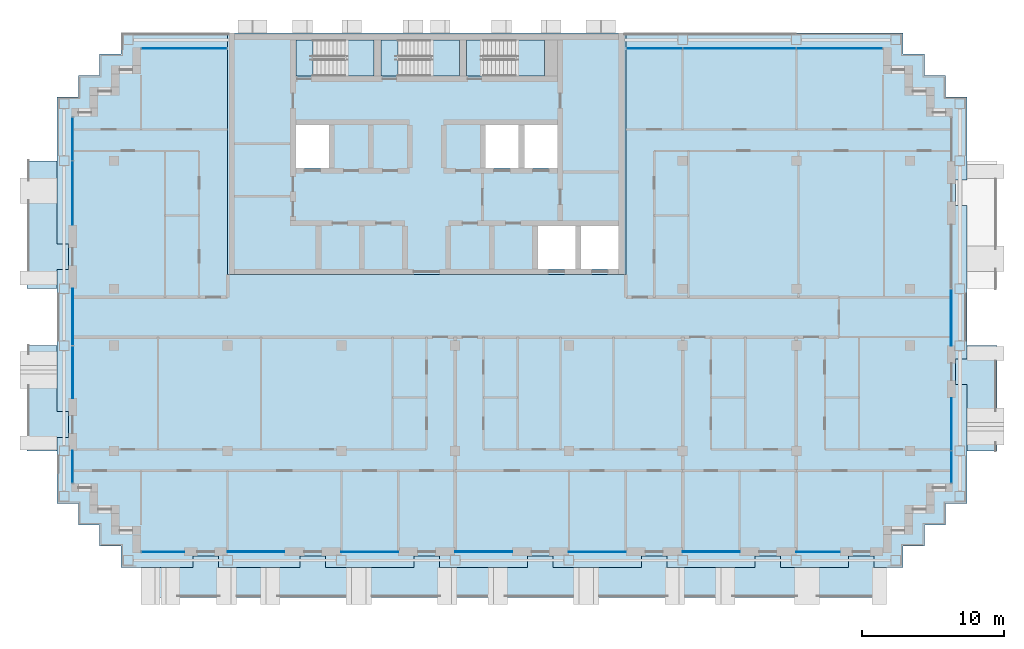
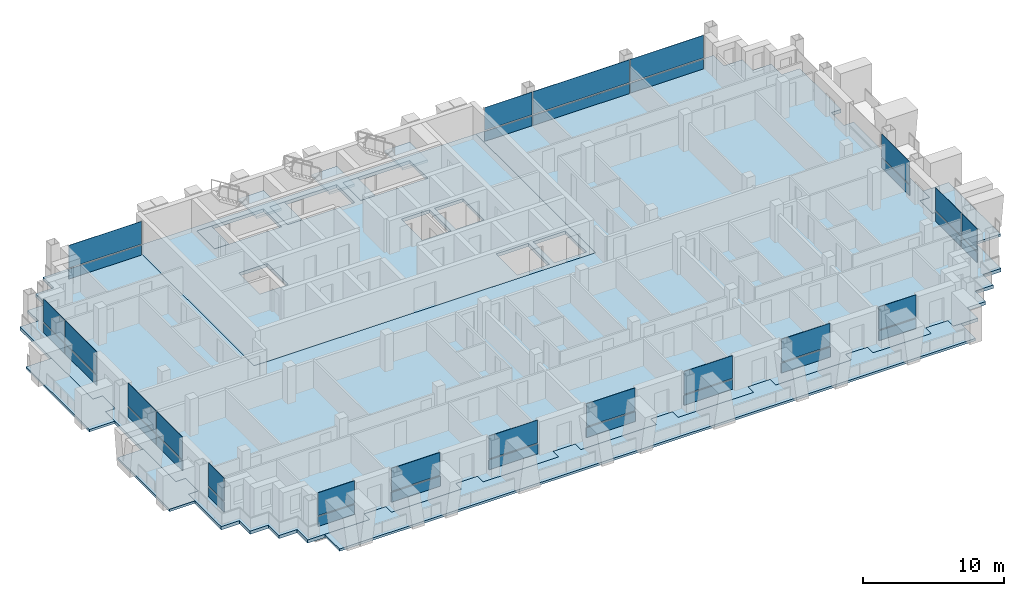
# One storey, part 6 of 16: 38 plates, 12 slabs, 17 elements without a shape of their own.
"""IFC4 building model written with IfcOpenShell, lengths in metres."""

from ifc_helpers import new_model, si_unit, direction, frame, origin, origin_2d, place, context, subcontext, project, spatial, polyline, rectangle, outline, extrude, material, layer, layer_set, type_object, element, aggregate, save


model = new_model("IFC4")

# Units and contexts
model_context = context("Model", 3, precision=1e-05, world=origin(), true_north=direction((0.0, 1.0)))
body_context = subcontext(model_context, "Body", "Model", "MODEL_VIEW")
ifc_project = project(units=[si_unit("LENGTHUNIT", "METRE"), si_unit("AREAUNIT", "SQUARE_METRE"), si_unit("VOLUMEUNIT", "CUBIC_METRE"), si_unit("PLANEANGLEUNIT", "RADIAN"), si_unit("MASSUNIT", "GRAM", prefix="KILO")], contexts=[model_context])

# Site, building, storey
site_placement = place(None, origin())
site = spatial("IfcSite", under=ifc_project, at=site_placement, CompositionType="ELEMENT")
building_placement = place(site_placement, origin())
building = spatial("IfcBuilding", under=site, at=building_placement, Name="Vidyagriha Tower", CompositionType="ELEMENT")
storey_placement = place(building_placement, frame((0.0, 0.0, 178.10009765625)))
storey = spatial("IfcBuildingStorey", under=building, at=storey_placement, Name="L46", CompositionType="ELEMENT", Elevation=178.10009765625)

# Curtain wall, plates
ifc_material_1 = material(Name="Aluminium and glass curtain wall", Category="aluminium")
curtain_wall_type = type_object("IfcCurtainWallType", Name="Dwelling skin unitised curtain wall", PredefinedType="USERDEFINED", material=ifc_material_1)
curtain_wall_1_placement = place(storey_placement, origin())
curtain_wall_1 = element("IfcCurtainWall", 1, at=curtain_wall_1_placement, inside=storey, type_object=curtain_wall_type, Name="CW1 dwelling skin", ObjectType="UNITISED", PredefinedType="USERDEFINED")
ifc_material_2 = material(Name="Glass dark ceramic-fritted spandrel", Category="glass")
ifc_layer_1 = layer(ifc_material_2, 0.0400390625)
ifc_layer_set_1 = layer_set([ifc_layer_1], Name="Glass dark ceramic-fritted spandrel")
plate_type_1 = type_object("IfcPlateType", Name="Ceramic-fritted spandrel panel", PredefinedType="CURTAIN_PANEL", material=ifc_layer_set_1)
plate_1_placement = place(storey_placement, frame((29.032470703125, 18.89990234375, -0.000244140625), z_axis=(0.0, 0.0, 1.0), x_axis=(-1.0, 0.0, 0.0)))
plate_1 = element("IfcPlate", 2, at=plate_1_placement, type_object=plate_type_1, Name="CW1 panel 1.1", PredefinedType="CURTAIN_PANEL", context=body_context, shape_type="SweptSolid", body=[
    extrude(rectangle(XDim=5.9951171875, YDim=0.0400390625, at=origin_2d()), origin(), (0.0, 0.0, 1.0), 0.85009765625),
])
plate_2_placement = place(storey_placement, frame((16.017578125, 18.89990234375, -0.000244140625), z_axis=(0.0, 0.0, 1.0), x_axis=(-1.0, 0.0, 0.0)))
plate_2 = element("IfcPlate", 3, at=plate_2_placement, type_object=plate_type_1, Name="CW1 panel 3.1", PredefinedType="CURTAIN_PANEL", context=body_context, shape_type="SweptSolid", body=[
    extrude(rectangle(XDim=3.89501953125, YDim=0.0400390625, at=origin_2d()), origin(), (0.0, 0.0, 1.0), 0.85009765625),
])

# Curtain wall, plate
curtain_wall_2_placement = place(storey_placement, origin())
curtain_wall_2 = element("IfcCurtainWall", 4, at=curtain_wall_2_placement, inside=storey, type_object=curtain_wall_type, Name="CW1 dwelling skin", ObjectType="UNITISED", PredefinedType="USERDEFINED")
plate_3_placement = place(storey_placement, frame((-17.050048828125, 18.89990234375, -0.000244140625), z_axis=(0.0, 0.0, 1.0), x_axis=(-1.0, 0.0, 0.0)))
plate_3 = element("IfcPlate", 5, at=plate_3_placement, type_object=plate_type_1, Name="CW1 panel 1.1", PredefinedType="CURTAIN_PANEL", context=body_context, shape_type="SweptSolid", body=[
    extrude(rectangle(XDim=5.9599609375, YDim=0.0400390625, at=origin_2d()), origin(), (0.0, 0.0, 1.0), 0.85009765625),
])

# Curtain wall, plates
curtain_wall_3_placement = place(storey_placement, origin())
curtain_wall_3 = element("IfcCurtainWall", 6, at=curtain_wall_3_placement, inside=storey, type_object=curtain_wall_type, Name="CW1 dwelling skin", ObjectType="UNITISED", PredefinedType="USERDEFINED")
plate_4_placement = place(storey_placement, frame((-24.89990234375, 12.532470703125, -0.000244140625), z_axis=(0.0, 0.0, 1.0), x_axis=(0.0, -1.0, 0.0)))
plate_4 = element("IfcPlate", 7, at=plate_4_placement, type_object=plate_type_1, Name="CW1 panel 1.1", PredefinedType="CURTAIN_PANEL", context=body_context, shape_type="SweptSolid", body=[
    extrude(rectangle(XDim=2.9951171875, YDim=0.0400390625, at=origin_2d()), origin(), (0.0, 0.0, 1.0), 0.85009765625),
])
plate_5_placement = place(storey_placement, frame((-24.89990234375, 8.732421875, -0.000244140625), z_axis=(0.0, 0.0, 1.0), x_axis=(0.0, -1.0, 0.0)))
plate_5 = element("IfcPlate", 8, at=plate_5_placement, type_object=plate_type_1, Name="CW1 panel 2.1", PredefinedType="CURTAIN_PANEL", context=body_context, shape_type="SweptSolid", body=[
    extrude(rectangle(XDim=4.465087890625, YDim=0.0400390625, at=origin_2d()), origin(), (0.0, 0.0, 1.0), 0.85009765625),
])

# Curtain wall, plate
curtain_wall_4_placement = place(storey_placement, origin())
curtain_wall_4 = element("IfcCurtainWall", 9, at=curtain_wall_4_placement, inside=storey, type_object=curtain_wall_type, Name="CW1 dwelling skin", ObjectType="UNITISED", PredefinedType="USERDEFINED")
plate_6_placement = place(storey_placement, frame((-24.89990234375, -10.514892578125, -0.000244140625), z_axis=(0.0, 0.0, 1.0), x_axis=(0.0, -1.0, 0.0)))
plate_6 = element("IfcPlate", 10, at=plate_6_placement, type_object=plate_type_1, Name="CW1 panel 1.1", PredefinedType="CURTAIN_PANEL", context=body_context, shape_type="SweptSolid", body=[
    extrude(rectangle(XDim=2.22998046875, YDim=0.0400390625, at=origin_2d()), origin(), (0.0, 0.0, 1.0), 0.85009765625),
])

curtain_wall_5_placement = place(storey_placement, origin())
curtain_wall_5 = element("IfcCurtainWall", 11, at=curtain_wall_5_placement, inside=storey, type_object=curtain_wall_type, Name="CW1 dwelling skin", ObjectType="UNITISED", PredefinedType="USERDEFINED")
plate_7_placement = place(storey_placement, frame((-18.5400390625, -16.5, -0.000244140625)))
plate_7 = element("IfcPlate", 12, at=plate_7_placement, type_object=plate_type_1, Name="CW1 panel 1.1", PredefinedType="CURTAIN_PANEL", context=body_context, shape_type="SweptSolid", body=[
    extrude(rectangle(XDim=2.97998046875, YDim=0.0400390625, at=origin_2d()), origin(), (0.0, 0.0, 1.0), 0.85009765625),
])

curtain_wall_6_placement = place(storey_placement, origin())
curtain_wall_6 = element("IfcCurtainWall", 13, at=curtain_wall_6_placement, inside=storey, type_object=curtain_wall_type, Name="CW1 dwelling skin", ObjectType="UNITISED", PredefinedType="USERDEFINED")
plate_8_placement = place(storey_placement, frame((-4.0, -16.5, -0.000244140625)))
plate_8 = element("IfcPlate", 14, at=plate_8_placement, type_object=plate_type_1, Name="CW1 panel 1.1", PredefinedType="CURTAIN_PANEL", context=body_context, shape_type="SweptSolid", body=[
    extrude(rectangle(XDim=4.0, YDim=0.0400390625, at=origin_2d()), origin(), (0.0, 0.0, 1.0), 0.85009765625),
])

curtain_wall_7_placement = place(storey_placement, origin())
curtain_wall_7 = element("IfcCurtainWall", 15, at=curtain_wall_7_placement, inside=storey, type_object=curtain_wall_type, Name="CW1 dwelling skin", ObjectType="UNITISED", PredefinedType="USERDEFINED")
plate_9_placement = place(storey_placement, frame((12.0, -16.5, -0.000244140625)))
plate_9 = element("IfcPlate", 16, at=plate_9_placement, type_object=plate_type_1, Name="CW1 panel 1.1", PredefinedType="CURTAIN_PANEL", context=body_context, shape_type="SweptSolid", body=[
    extrude(rectangle(XDim=4.0, YDim=0.0400390625, at=origin_2d()), origin(), (0.0, 0.0, 1.0), 0.85009765625),
])

curtain_wall_8_placement = place(storey_placement, origin())
curtain_wall_8 = element("IfcCurtainWall", 17, at=curtain_wall_8_placement, inside=storey, type_object=curtain_wall_type, Name="CW1 dwelling skin", ObjectType="UNITISED", PredefinedType="USERDEFINED")
plate_10_placement = place(storey_placement, frame((27.52490234375, -16.5, -0.000244140625)))
plate_10 = element("IfcPlate", 18, at=plate_10_placement, type_object=plate_type_1, Name="CW1 panel 1.1", PredefinedType="CURTAIN_PANEL", context=body_context, shape_type="SweptSolid", body=[
    extrude(rectangle(XDim=3.050048828125, YDim=0.0400390625, at=origin_2d()), origin(), (0.0, 0.0, 1.0), 0.85009765625),
])

# Curtain wall, plates
curtain_wall_9_placement = place(storey_placement, origin())
curtain_wall_9 = element("IfcCurtainWall", 19, at=curtain_wall_9_placement, inside=storey, type_object=curtain_wall_type, Name="CW1 dwelling skin", ObjectType="UNITISED", PredefinedType="USERDEFINED")
plate_11_placement = place(storey_placement, frame((36.89990234375, -10.532470703125, -0.000244140625), z_axis=(0.0, 0.0, 1.0), x_axis=(0.0, 1.0, 0.0)))
plate_11 = element("IfcPlate", 20, at=plate_11_placement, type_object=plate_type_1, Name="CW1 panel 1.1", PredefinedType="CURTAIN_PANEL", context=body_context, shape_type="SweptSolid", body=[
    extrude(rectangle(XDim=2.195068359375, YDim=0.0400390625, at=origin_2d()), origin(), (0.0, 0.0, 1.0), 0.85009765625),
])
plate_12_placement = place(storey_placement, frame((36.89990234375, -7.532470703125, -0.000244140625), z_axis=(0.0, 0.0, 1.0), x_axis=(0.0, 1.0, 0.0)))
plate_12 = element("IfcPlate", 21, at=plate_12_placement, type_object=plate_type_1, Name="CW1 panel 2.1", PredefinedType="CURTAIN_PANEL", context=body_context, shape_type="SweptSolid", body=[
    extrude(rectangle(XDim=3.6650390625, YDim=0.0400390625, at=origin_2d()), origin(), (0.0, 0.0, 1.0), 0.85009765625),
])

# Slab
ifc_material_3 = material(Name="Concrete C60/75", Category="concrete")
ifc_layer_2 = layer(ifc_material_3, 0.280029296875)
ifc_layer_set_2 = layer_set([ifc_layer_2], Name="Concrete C60/75")
slab_type_1 = type_object("IfcSlabType", Name="Core floor slab 280 mm", PredefinedType="FLOOR", material=ifc_layer_set_2)
slab_1_placement = place(storey_placement, frame((0.0, 0.0, -0.280029296875)))
element("IfcSlab", 22, at=slab_1_placement, inside=storey, type_object=slab_type_1, Name="L46 core floor 1", PredefinedType="FLOOR", context=body_context, shape_type="SweptSolid", body=[
    extrude(outline(polyline([(-14.0, 3.0), (-14.0, 20.0), (14.0, 20.0), (14.0, 3.0), (-14.0, 3.0)]), holes=[polyline([(13.5, 6.39990234375), (10.855712890625, 6.39990234375), (10.855712890625, 3.39990234375), (13.5, 3.39990234375), (13.5, 6.39990234375)]), polyline([(10.45556640625, 6.39990234375), (7.81103515625, 6.39990234375), (7.81103515625, 3.39990234375), (10.45556640625, 3.39990234375), (10.45556640625, 6.39990234375)]), polyline([(9.199951171875, 13.5), (6.86669921875, 13.5), (6.86669921875, 10.5), (9.199951171875, 10.5), (9.199951171875, 13.5)]), polyline([(2.800048828125, 19.5), (2.800048828125, 16.949951171875), (4.0, 16.949951171875), (8.300048828125, 16.949951171875), (8.300048828125, 19.5), (4.0, 19.5), (2.800048828125, 19.5)]), polyline([(4.13330078125, 13.5), (4.13330078125, 10.5), (6.466796875, 10.5), (6.466796875, 13.5), (4.13330078125, 13.5)]), polyline([(-2.0, 19.5), (-3.199951171875, 19.5), (-3.199951171875, 16.949951171875), (-2.0, 16.949951171875), (2.300048828125, 16.949951171875), (2.300048828125, 19.5), (-2.0, 19.5)]), polyline([(-9.199951171875, 19.5), (-9.199951171875, 16.949951171875), (-8.0, 16.949951171875), (-3.699951171875, 16.949951171875), (-3.699951171875, 19.5), (-8.0, 19.5), (-9.199951171875, 19.5)]), polyline([(-9.199951171875, 13.5), (-9.199951171875, 10.5), (-6.86669921875, 10.5), (-6.86669921875, 13.5), (-9.199951171875, 13.5)])]), origin(), (0.0, 0.0, 1.0), 0.280029296875),
])

# Plate
ifc_material_4 = material(Name="Glass dark ceramic-fritted", Category="glass")
ifc_layer_3 = layer(ifc_material_4, 0.028076171875)
ifc_layer_set_3 = layer_set([ifc_layer_3], Name="Glass dark ceramic-fritted")
plate_type_2 = type_object("IfcPlateType", Name="Dark ceramic-fritted vision glass panel", PredefinedType="CURTAIN_PANEL", material=ifc_layer_set_3)
plate_13_placement = place(storey_placement, frame((29.032470703125, 18.89990234375, 0.94970703125), z_axis=(0.0, 0.0, 1.0), x_axis=(-1.0, 0.0, 0.0)))
plate_13 = element("IfcPlate", 23, at=plate_13_placement, type_object=plate_type_2, Name="CW1 panel 1.2", PredefinedType="CURTAIN_PANEL", context=body_context, shape_type="SweptSolid", body=[
    extrude(rectangle(XDim=5.9951171875, YDim=0.028076171875, at=origin_2d()), origin(), (0.0, 0.0, 1.0), 1.969970703125),
])

plate_14_placement = place(storey_placement, frame((22.0, 18.89990234375, 0.94970703125), z_axis=(0.0, 0.0, 1.0), x_axis=(-1.0, 0.0, 0.0)))
plate_14 = element("IfcPlate", 24, at=plate_14_placement, type_object=plate_type_2, Name="CW1 panel 2.2", PredefinedType="CURTAIN_PANEL", context=body_context, shape_type="SweptSolid", body=[
    extrude(rectangle(XDim=7.929931640625, YDim=0.028076171875, at=origin_2d()), origin(), (0.0, 0.0, 1.0), 1.969970703125),
])

plate_15_placement = place(storey_placement, frame((16.017578125, 18.89990234375, 0.94970703125), z_axis=(0.0, 0.0, 1.0), x_axis=(-1.0, 0.0, 0.0)))
plate_15 = element("IfcPlate", 25, at=plate_15_placement, type_object=plate_type_2, Name="CW1 panel 3.2", PredefinedType="CURTAIN_PANEL", context=body_context, shape_type="SweptSolid", body=[
    extrude(rectangle(XDim=3.89501953125, YDim=0.028076171875, at=origin_2d()), origin(), (0.0, 0.0, 1.0), 1.969970703125),
])

plate_16_placement = place(storey_placement, frame((-17.050048828125, 18.89990234375, 0.94970703125), z_axis=(0.0, 0.0, 1.0), x_axis=(-1.0, 0.0, 0.0)))
plate_16 = element("IfcPlate", 26, at=plate_16_placement, type_object=plate_type_2, Name="CW1 panel 1.2", PredefinedType="CURTAIN_PANEL", context=body_context, shape_type="SweptSolid", body=[
    extrude(rectangle(XDim=5.9599609375, YDim=0.028076171875, at=origin_2d()), origin(), (0.0, 0.0, 1.0), 1.969970703125),
])

aggregate(curtain_wall_2, [plate_3, plate_16])

plate_17_placement = place(storey_placement, frame((-24.89990234375, 12.532470703125, 0.94970703125), z_axis=(0.0, 0.0, 1.0), x_axis=(0.0, -1.0, 0.0)))
plate_17 = element("IfcPlate", 27, at=plate_17_placement, type_object=plate_type_2, Name="CW1 panel 1.2", PredefinedType="CURTAIN_PANEL", context=body_context, shape_type="SweptSolid", body=[
    extrude(rectangle(XDim=2.9951171875, YDim=0.028076171875, at=origin_2d()), origin(), (0.0, 0.0, 1.0), 1.969970703125),
])

plate_18_placement = place(storey_placement, frame((-24.89990234375, 8.732421875, 0.94970703125), z_axis=(0.0, 0.0, 1.0), x_axis=(0.0, -1.0, 0.0)))
plate_18 = element("IfcPlate", 28, at=plate_18_placement, type_object=plate_type_2, Name="CW1 panel 2.2", PredefinedType="CURTAIN_PANEL", context=body_context, shape_type="SweptSolid", body=[
    extrude(rectangle(XDim=4.465087890625, YDim=0.028076171875, at=origin_2d()), origin(), (0.0, 0.0, 1.0), 1.969970703125),
])

aggregate(curtain_wall_3, [plate_4, plate_17, plate_5, plate_18])

# Curtain wall, plates
curtain_wall_10_placement = place(storey_placement, origin())
curtain_wall_10 = element("IfcCurtainWall", 29, at=curtain_wall_10_placement, inside=storey, type_object=curtain_wall_type, Name="CW1 dwelling skin", ObjectType="UNITISED", PredefinedType="USERDEFINED")
plate_19_placement = place(storey_placement, frame((-24.89990234375, 0.017578125, 0.94970703125), z_axis=(0.0, 0.0, 1.0), x_axis=(0.0, -1.0, 0.0)))
plate_19 = element("IfcPlate", 30, at=plate_19_placement, type_object=plate_type_2, Name="CW1 panel 1.2", PredefinedType="CURTAIN_PANEL", context=body_context, shape_type="SweptSolid", body=[
    extrude(rectangle(XDim=3.965087890625, YDim=0.028076171875, at=origin_2d()), origin(), (0.0, 0.0, 1.0), 1.969970703125),
])
plate_20_placement = place(storey_placement, frame((-24.89990234375, -3.867431640625, 0.94970703125), z_axis=(0.0, 0.0, 1.0), x_axis=(0.0, -1.0, 0.0)))
plate_20 = element("IfcPlate", 31, at=plate_20_placement, type_object=plate_type_2, Name="CW1 panel 2.2", PredefinedType="CURTAIN_PANEL", context=body_context, shape_type="SweptSolid", body=[
    extrude(rectangle(XDim=3.6650390625, YDim=0.028076171875, at=origin_2d()), origin(), (0.0, 0.0, 1.0), 1.969970703125),
])

# Plate
plate_21_placement = place(storey_placement, frame((-24.89990234375, -10.514892578125, 0.94970703125), z_axis=(0.0, 0.0, 1.0), x_axis=(0.0, -1.0, 0.0)))
plate_21 = element("IfcPlate", 32, at=plate_21_placement, type_object=plate_type_2, Name="CW1 panel 1.2", PredefinedType="CURTAIN_PANEL", context=body_context, shape_type="SweptSolid", body=[
    extrude(rectangle(XDim=2.22998046875, YDim=0.028076171875, at=origin_2d()), origin(), (0.0, 0.0, 1.0), 1.969970703125),
])

aggregate(curtain_wall_4, [plate_6, plate_21])

plate_22_placement = place(storey_placement, frame((-18.5400390625, -16.5, 0.94970703125)))
plate_22 = element("IfcPlate", 33, at=plate_22_placement, type_object=plate_type_2, Name="CW1 panel 1.2", PredefinedType="CURTAIN_PANEL", context=body_context, shape_type="SweptSolid", body=[
    extrude(rectangle(XDim=2.97998046875, YDim=0.028076171875, at=origin_2d()), origin(), (0.0, 0.0, 1.0), 1.969970703125),
])

aggregate(curtain_wall_5, [plate_7, plate_22])

# Curtain wall, plate
curtain_wall_11_placement = place(storey_placement, origin())
curtain_wall_11 = element("IfcCurtainWall", 34, at=curtain_wall_11_placement, inside=storey, type_object=curtain_wall_type, Name="CW1 dwelling skin", ObjectType="UNITISED", PredefinedType="USERDEFINED")
plate_23_placement = place(storey_placement, frame((-12.0, -16.5, 0.94970703125)))
plate_23 = element("IfcPlate", 35, at=plate_23_placement, type_object=plate_type_2, Name="CW1 panel 1.2", PredefinedType="CURTAIN_PANEL", context=body_context, shape_type="SweptSolid", body=[
    extrude(rectangle(XDim=4.0, YDim=0.028076171875, at=origin_2d()), origin(), (0.0, 0.0, 1.0), 1.969970703125),
])

# Plate
plate_24_placement = place(storey_placement, frame((-4.0, -16.5, 0.94970703125)))
plate_24 = element("IfcPlate", 36, at=plate_24_placement, type_object=plate_type_2, Name="CW1 panel 1.2", PredefinedType="CURTAIN_PANEL", context=body_context, shape_type="SweptSolid", body=[
    extrude(rectangle(XDim=4.0, YDim=0.028076171875, at=origin_2d()), origin(), (0.0, 0.0, 1.0), 1.969970703125),
])

aggregate(curtain_wall_6, [plate_8, plate_24])

# Curtain wall, plate
curtain_wall_12_placement = place(storey_placement, origin())
curtain_wall_12 = element("IfcCurtainWall", 37, at=curtain_wall_12_placement, inside=storey, type_object=curtain_wall_type, Name="CW1 dwelling skin", ObjectType="UNITISED", PredefinedType="USERDEFINED")
plate_25_placement = place(storey_placement, frame((4.0, -16.5, 0.94970703125)))
plate_25 = element("IfcPlate", 38, at=plate_25_placement, type_object=plate_type_2, Name="CW1 panel 1.2", PredefinedType="CURTAIN_PANEL", context=body_context, shape_type="SweptSolid", body=[
    extrude(rectangle(XDim=4.0, YDim=0.028076171875, at=origin_2d()), origin(), (0.0, 0.0, 1.0), 1.969970703125),
])

# Plate
plate_26_placement = place(storey_placement, frame((12.0, -16.5, 0.94970703125)))
plate_26 = element("IfcPlate", 39, at=plate_26_placement, type_object=plate_type_2, Name="CW1 panel 1.2", PredefinedType="CURTAIN_PANEL", context=body_context, shape_type="SweptSolid", body=[
    extrude(rectangle(XDim=4.0, YDim=0.028076171875, at=origin_2d()), origin(), (0.0, 0.0, 1.0), 1.969970703125),
])

aggregate(curtain_wall_7, [plate_9, plate_26])

# Curtain wall, plate
curtain_wall_13_placement = place(storey_placement, origin())
curtain_wall_13 = element("IfcCurtainWall", 40, at=curtain_wall_13_placement, inside=storey, type_object=curtain_wall_type, Name="CW1 dwelling skin", ObjectType="UNITISED", PredefinedType="USERDEFINED")
plate_27_placement = place(storey_placement, frame((20.0, -16.5, 0.94970703125)))
plate_27 = element("IfcPlate", 41, at=plate_27_placement, type_object=plate_type_2, Name="CW1 panel 1.2", PredefinedType="CURTAIN_PANEL", context=body_context, shape_type="SweptSolid", body=[
    extrude(rectangle(XDim=4.0, YDim=0.028076171875, at=origin_2d()), origin(), (0.0, 0.0, 1.0), 1.969970703125),
])

# Plate
plate_28_placement = place(storey_placement, frame((27.52490234375, -16.5, 0.94970703125)))
plate_28 = element("IfcPlate", 42, at=plate_28_placement, type_object=plate_type_2, Name="CW1 panel 1.2", PredefinedType="CURTAIN_PANEL", context=body_context, shape_type="SweptSolid", body=[
    extrude(rectangle(XDim=3.050048828125, YDim=0.028076171875, at=origin_2d()), origin(), (0.0, 0.0, 1.0), 1.969970703125),
])

aggregate(curtain_wall_8, [plate_10, plate_28])

plate_29_placement = place(storey_placement, frame((36.89990234375, -10.532470703125, 0.94970703125), z_axis=(0.0, 0.0, 1.0), x_axis=(0.0, 1.0, 0.0)))
plate_29 = element("IfcPlate", 43, at=plate_29_placement, type_object=plate_type_2, Name="CW1 panel 1.2", PredefinedType="CURTAIN_PANEL", context=body_context, shape_type="SweptSolid", body=[
    extrude(rectangle(XDim=2.195068359375, YDim=0.028076171875, at=origin_2d()), origin(), (0.0, 0.0, 1.0), 1.969970703125),
])

plate_30_placement = place(storey_placement, frame((36.89990234375, -7.532470703125, 0.94970703125), z_axis=(0.0, 0.0, 1.0), x_axis=(0.0, 1.0, 0.0)))
plate_30 = element("IfcPlate", 44, at=plate_30_placement, type_object=plate_type_2, Name="CW1 panel 2.2", PredefinedType="CURTAIN_PANEL", context=body_context, shape_type="SweptSolid", body=[
    extrude(rectangle(XDim=3.6650390625, YDim=0.028076171875, at=origin_2d()), origin(), (0.0, 0.0, 1.0), 1.969970703125),
])

aggregate(curtain_wall_9, [plate_11, plate_29, plate_12, plate_30])

# Curtain wall, plate
curtain_wall_14_placement = place(storey_placement, origin())
curtain_wall_14 = element("IfcCurtainWall", 45, at=curtain_wall_14_placement, inside=storey, type_object=curtain_wall_type, Name="CW1 dwelling skin", ObjectType="UNITISED", PredefinedType="USERDEFINED")
plate_31_placement = place(storey_placement, frame((36.89990234375, -0.017578125, 0.94970703125), z_axis=(0.0, 0.0, 1.0), x_axis=(0.0, 1.0, 0.0)))
plate_31 = element("IfcPlate", 46, at=plate_31_placement, type_object=plate_type_2, Name="CW1 panel 1.2", PredefinedType="CURTAIN_PANEL", context=body_context, shape_type="SweptSolid", body=[
    extrude(rectangle(XDim=3.965087890625, YDim=0.028076171875, at=origin_2d()), origin(), (0.0, 0.0, 1.0), 1.969970703125),
])

# Slabs
ifc_material_5 = material(Name="Concrete C40/50", Category="concrete")
ifc_layer_4 = layer(ifc_material_5, 0.280029296875)
ifc_layer_set_4 = layer_set([ifc_layer_4], Name="Concrete C40/50")
slab_type_2 = type_object("IfcSlabType", Name="Exit stair floor landing 280 mm", PredefinedType="LANDING", material=ifc_layer_set_4)
slab_2_placement = place(storey_placement, frame((0.0, 0.0, -0.280029296875)))
element("IfcSlab", 47, at=slab_2_placement, inside=storey, type_object=slab_type_2, Name="ST1 floor landing L46", PredefinedType="LANDING", context=body_context, shape_type="SweptSolid", body=[
    extrude(outline(polyline([(-9.199951171875, 16.949951171875), (-8.0, 16.949951171875), (-8.0, 19.5), (-9.199951171875, 19.5), (-9.199951171875, 16.949951171875)])), origin(), (0.0, 0.0, 1.0), 0.280029296875),
])
slab_3_placement = place(storey_placement, frame((0.0, 0.0, -0.280029296875)))
element("IfcSlab", 48, at=slab_3_placement, inside=storey, type_object=slab_type_2, Name="ST2 floor landing L46", PredefinedType="LANDING", context=body_context, shape_type="SweptSolid", body=[
    extrude(outline(polyline([(-3.199951171875, 16.949951171875), (-2.0, 16.949951171875), (-2.0, 19.5), (-3.199951171875, 19.5), (-3.199951171875, 16.949951171875)])), origin(), (0.0, 0.0, 1.0), 0.280029296875),
])
slab_4_placement = place(storey_placement, frame((0.0, 0.0, -0.280029296875)))
element("IfcSlab", 49, at=slab_4_placement, inside=storey, type_object=slab_type_2, Name="ST3 floor landing L46", PredefinedType="LANDING", context=body_context, shape_type="SweptSolid", body=[
    extrude(outline(polyline([(2.800048828125, 16.949951171875), (4.0, 16.949951171875), (4.0, 19.5), (2.800048828125, 19.5), (2.800048828125, 16.949951171875)])), origin(), (0.0, 0.0, 1.0), 0.280029296875),
])

# Stair, slab
ifc_material_6 = material(Name="Concrete C40/50", Category="concrete")
stair_type = type_object("IfcStairType", Name="Exit stair, half-turn, precast flights", PredefinedType="HALF_TURN_STAIR", material=ifc_material_6)
stair_1_placement = place(storey_placement, origin())
stair_1 = element("IfcStair", 50, at=stair_1_placement, inside=storey, type_object=stair_type, Name="L46 Exit Stair ST1", PredefinedType="HALF_TURN_STAIR")
ifc_material_7 = material(Name="Concrete C40/50", Category="concrete")
ifc_layer_5 = layer(ifc_material_7, 0.199951171875)
ifc_layer_set_5 = layer_set([ifc_layer_5], Name="Concrete C40/50")
slab_type_3 = type_object("IfcSlabType", Name="Exit stair landing 200 mm", PredefinedType="LANDING", material=ifc_layer_set_5)
slab_5_placement = place(storey_placement, frame((0.0, 0.0, 1.39990234375)))
slab_5 = element("IfcSlab", 51, at=slab_5_placement, type_object=slab_type_3, Name="ST1 landing 1", PredefinedType="LANDING", context=body_context, shape_type="SweptSolid", body=[
    extrude(outline(polyline([(-5.760009765625, 16.949951171875), (-3.699951171875, 16.949951171875), (-3.699951171875, 19.5), (-5.760009765625, 19.5), (-5.760009765625, 16.949951171875)])), origin(), (0.0, 0.0, 1.0), 0.199951171875),
])
aggregate(stair_1, [slab_5])

stair_2_placement = place(storey_placement, origin())
stair_2 = element("IfcStair", 52, at=stair_2_placement, inside=storey, type_object=stair_type, Name="L46 Exit Stair ST2", PredefinedType="HALF_TURN_STAIR")
slab_6_placement = place(storey_placement, frame((0.0, 0.0, 1.39990234375)))
slab_6 = element("IfcSlab", 53, at=slab_6_placement, type_object=slab_type_3, Name="ST2 landing 1", PredefinedType="LANDING", context=body_context, shape_type="SweptSolid", body=[
    extrude(outline(polyline([(0.239990234375, 16.949951171875), (2.300048828125, 16.949951171875), (2.300048828125, 19.5), (0.239990234375, 19.5), (0.239990234375, 16.949951171875)])), origin(), (0.0, 0.0, 1.0), 0.199951171875),
])
aggregate(stair_2, [slab_6])

stair_3_placement = place(storey_placement, origin())
stair_3 = element("IfcStair", 54, at=stair_3_placement, inside=storey, type_object=stair_type, Name="L46 Exit Stair ST3", PredefinedType="HALF_TURN_STAIR")
slab_7_placement = place(storey_placement, frame((0.0, 0.0, 1.39990234375)))
slab_7 = element("IfcSlab", 55, at=slab_7_placement, type_object=slab_type_3, Name="ST3 landing 1", PredefinedType="LANDING", context=body_context, shape_type="SweptSolid", body=[
    extrude(outline(polyline([(6.239990234375, 16.949951171875), (8.300048828125, 16.949951171875), (8.300048828125, 19.5), (6.239990234375, 19.5), (6.239990234375, 16.949951171875)])), origin(), (0.0, 0.0, 1.0), 0.199951171875),
])
aggregate(stair_3, [slab_7])

# Plate
ifc_material_8 = material(Name="Aluminium black anodised", Category="aluminium")
ifc_layer_6 = layer(ifc_material_8, 0.06005859375)
ifc_layer_set_6 = layer_set([ifc_layer_6], Name="Aluminium black anodised")
plate_type_3 = type_object("IfcPlateType", Name="Operable black-metal vent panel", PredefinedType="CURTAIN_PANEL", material=ifc_layer_set_6)
plate_32_placement = place(storey_placement, frame((22.0, 18.89990234375, -0.000244140625), z_axis=(0.0, 0.0, 1.0), x_axis=(-1.0, 0.0, 0.0)))
plate_32 = element("IfcPlate", 56, at=plate_32_placement, type_object=plate_type_3, Name="CW1 panel 2.1", PredefinedType="CURTAIN_PANEL", context=body_context, shape_type="SweptSolid", body=[
    extrude(rectangle(XDim=7.929931640625, YDim=0.06005859375, at=origin_2d()), origin(), (0.0, 0.0, 1.0), 0.85009765625),
])

aggregate(curtain_wall_1, [plate_1, plate_13, plate_32, plate_14, plate_2, plate_15])

plate_33_placement = place(storey_placement, frame((-24.89990234375, 0.017578125, -0.000244140625), z_axis=(0.0, 0.0, 1.0), x_axis=(0.0, -1.0, 0.0)))
plate_33 = element("IfcPlate", 57, at=plate_33_placement, type_object=plate_type_3, Name="CW1 panel 1.1", PredefinedType="CURTAIN_PANEL", context=body_context, shape_type="SweptSolid", body=[
    extrude(rectangle(XDim=3.965087890625, YDim=0.06005859375, at=origin_2d()), origin(), (0.0, 0.0, 1.0), 0.85009765625),
])

plate_34_placement = place(storey_placement, frame((-24.89990234375, -3.867431640625, -0.000244140625), z_axis=(0.0, 0.0, 1.0), x_axis=(0.0, -1.0, 0.0)))
plate_34 = element("IfcPlate", 58, at=plate_34_placement, type_object=plate_type_3, Name="CW1 panel 2.1", PredefinedType="CURTAIN_PANEL", context=body_context, shape_type="SweptSolid", body=[
    extrude(rectangle(XDim=3.6650390625, YDim=0.06005859375, at=origin_2d()), origin(), (0.0, 0.0, 1.0), 0.85009765625),
])

aggregate(curtain_wall_10, [plate_33, plate_19, plate_34, plate_20])

plate_35_placement = place(storey_placement, frame((-12.0, -16.5, -0.000244140625)))
plate_35 = element("IfcPlate", 59, at=plate_35_placement, type_object=plate_type_3, Name="CW1 panel 1.1", PredefinedType="CURTAIN_PANEL", context=body_context, shape_type="SweptSolid", body=[
    extrude(rectangle(XDim=4.0, YDim=0.06005859375, at=origin_2d()), origin(), (0.0, 0.0, 1.0), 0.85009765625),
])

aggregate(curtain_wall_11, [plate_35, plate_23])

plate_36_placement = place(storey_placement, frame((4.0, -16.5, -0.000244140625)))
plate_36 = element("IfcPlate", 60, at=plate_36_placement, type_object=plate_type_3, Name="CW1 panel 1.1", PredefinedType="CURTAIN_PANEL", context=body_context, shape_type="SweptSolid", body=[
    extrude(rectangle(XDim=4.0, YDim=0.06005859375, at=origin_2d()), origin(), (0.0, 0.0, 1.0), 0.85009765625),
])

aggregate(curtain_wall_12, [plate_36, plate_25])

plate_37_placement = place(storey_placement, frame((20.0, -16.5, -0.000244140625)))
plate_37 = element("IfcPlate", 61, at=plate_37_placement, type_object=plate_type_3, Name="CW1 panel 1.1", PredefinedType="CURTAIN_PANEL", context=body_context, shape_type="SweptSolid", body=[
    extrude(rectangle(XDim=4.0, YDim=0.06005859375, at=origin_2d()), origin(), (0.0, 0.0, 1.0), 0.85009765625),
])

aggregate(curtain_wall_13, [plate_37, plate_27])

plate_38_placement = place(storey_placement, frame((36.89990234375, -0.017578125, -0.000244140625), z_axis=(0.0, 0.0, 1.0), x_axis=(0.0, 1.0, 0.0)))
plate_38 = element("IfcPlate", 62, at=plate_38_placement, type_object=plate_type_3, Name="CW1 panel 1.1", PredefinedType="CURTAIN_PANEL", context=body_context, shape_type="SweptSolid", body=[
    extrude(rectangle(XDim=3.965087890625, YDim=0.06005859375, at=origin_2d()), origin(), (0.0, 0.0, 1.0), 0.85009765625),
])

aggregate(curtain_wall_14, [plate_38, plate_31])

# Slabs
ifc_material_9 = material(Name="Concrete C50/60", Category="concrete")
ifc_layer_7 = layer(ifc_material_9, 0.280029296875)
ifc_layer_set_7 = layer_set([ifc_layer_7], Name="Concrete C50/60")
slab_type_4 = type_object("IfcSlabType", Name="Post-tensioned flat plate 280", PredefinedType="FLOOR", material=ifc_layer_set_7)
slab_8_placement = place(storey_placement, frame((0.0, 0.0, -0.280029296875)))
element("IfcSlab", 63, at=slab_8_placement, inside=storey, type_object=slab_type_4, Name="st-slab-L46-1", PredefinedType="FLOOR", context=body_context, shape_type="SweptSolid", body=[
    extrude(outline(polyline([(36.5, -14.60009765625), (35.0, -14.60009765625), (35.0, -16.10009765625), (33.5, -16.10009765625), (33.5, -17.60009765625), (31.47509765625, -17.60009765625), (31.47509765625, -16.800048828125), (29.675048828125, -16.800048828125), (29.675048828125, -17.60009765625), (24.89990234375, -17.60009765625), (24.89990234375, -16.800048828125), (23.10009765625, -16.800048828125), (23.10009765625, -17.60009765625), (16.89990234375, -17.60009765625), (16.89990234375, -16.800048828125), (15.10009765625, -16.800048828125), (15.10009765625, -17.60009765625), (8.89990234375, -17.60009765625), (8.89990234375, -16.800048828125), (7.10009765625, -16.800048828125), (7.10009765625, -17.60009765625), (0.89990234375, -17.60009765625), (0.89990234375, -16.800048828125), (-0.89990234375, -16.800048828125), (-0.89990234375, -17.60009765625), (-7.10009765625, -17.60009765625), (-7.10009765625, -16.800048828125), (-8.89990234375, -16.800048828125), (-8.89990234375, -17.60009765625), (-14.625, -17.60009765625), (-14.625, -16.800048828125), (-16.425048828125, -16.800048828125), (-16.425048828125, -17.60009765625), (-21.5, -17.60009765625), (-21.5, -16.10009765625), (-23.0, -16.10009765625), (-23.0, -14.60009765625), (-24.5, -14.60009765625), (-24.5, -13.10009765625), (-26.0, -13.10009765625), (-26.0, -8.449951171875), (-25.199951171875, -8.449951171875), (-25.199951171875, -6.64990234375), (-26.0, -6.64990234375), (-26.0, 3.35009765625), (-25.199951171875, 3.35009765625), (-25.199951171875, 5.14990234375), (-26.0, 5.14990234375), (-26.0, 15.5), (-24.5, 15.5), (-24.5, 17.0), (-23.0, 17.0), (-23.0, 18.5), (-21.5, 18.5), (-21.5, 20.0), (-14.0, 20.0), (-14.0, 3.0), (14.0, 3.0), (14.0, 20.0), (33.5, 20.0), (33.5, 18.5), (35.0, 18.5), (35.0, 17.0), (36.5, 17.0), (36.5, 15.5), (38.0, 15.5), (38.0, 9.64990234375), (37.199951171875, 9.64990234375), (37.199951171875, 7.85009765625), (38.0, 7.85009765625), (38.0, -2.949951171875), (37.199951171875, -2.949951171875), (37.199951171875, -4.75), (38.0, -4.75), (38.0, -13.10009765625), (36.5, -13.10009765625), (36.5, -14.60009765625)])), origin(), (0.0, 0.0, 1.0), 0.280029296875),
])
ifc_material_10 = material(Name="Precast concrete C40/50", Category="concrete")
ifc_layer_8 = layer(ifc_material_10, 0.199951171875)
ifc_layer_set_8 = layer_set([ifc_layer_8], Name="Precast concrete C40/50")
slab_type_5 = type_object("IfcSlabType", Name="Precast balcony slab 200", PredefinedType="USERDEFINED", material=ifc_layer_set_8)
slab_9_placement = place(storey_placement, frame((0.0, 0.0, -0.2001953125)))
element("IfcSlab", 64, at=slab_9_placement, inside=storey, type_object=slab_type_5, Name="Balcony slab L46 R16.1-1", ObjectType="BALCONY", PredefinedType="USERDEFINED", context=body_context, shape_type="SweptSolid", body=[
    extrude(outline(polyline([(-25.199951171875, 3.35009765625), (-25.199951171875, 5.14990234375), (-26.0, 5.14990234375), (-26.0, 11.0), (-28.10009765625, 11.0), (-28.10009765625, 2.0), (-26.0, 2.0), (-26.0, 3.35009765625), (-25.199951171875, 3.35009765625)])), origin(), (0.0, 0.0, 1.0), 0.2001953125),
])
slab_10_placement = place(storey_placement, frame((0.0, 0.0, -0.2001953125)))
element("IfcSlab", 65, at=slab_10_placement, inside=storey, type_object=slab_type_5, Name="Balcony slab L46 R16.2-2", ObjectType="BALCONY", PredefinedType="USERDEFINED", context=body_context, shape_type="SweptSolid", body=[
    extrude(outline(polyline([(-25.199951171875, -8.449951171875), (-25.199951171875, -6.64990234375), (-26.0, -6.64990234375), (-26.0, -2.0), (-28.10009765625, -2.0), (-28.10009765625, -9.39990234375), (-26.0, -9.39990234375), (-26.0, -8.449951171875), (-25.199951171875, -8.449951171875)])), origin(), (0.0, 0.0, 1.0), 0.2001953125),
])
slab_11_placement = place(storey_placement, frame((0.0, 0.0, -0.2001953125)))
element("IfcSlab", 66, at=slab_11_placement, inside=storey, type_object=slab_type_5, Name="Balcony slab L46 R23.1-7", ObjectType="BALCONY", PredefinedType="USERDEFINED", context=body_context, shape_type="SweptSolid", body=[
    extrude(outline(polyline([(-14.625, -16.800048828125), (-16.425048828125, -16.800048828125), (-16.425048828125, -17.60009765625), (-20.10009765625, -17.60009765625), (-20.10009765625, -19.699951171875), (32.10009765625, -19.699951171875), (32.10009765625, -17.60009765625), (31.47509765625, -17.60009765625), (31.47509765625, -16.800048828125), (29.675048828125, -16.800048828125), (29.675048828125, -17.60009765625), (24.89990234375, -17.60009765625), (24.89990234375, -16.800048828125), (23.10009765625, -16.800048828125), (23.10009765625, -17.60009765625), (16.89990234375, -17.60009765625), (16.89990234375, -16.800048828125), (15.10009765625, -16.800048828125), (15.10009765625, -17.60009765625), (8.89990234375, -17.60009765625), (8.89990234375, -16.800048828125), (7.10009765625, -16.800048828125), (7.10009765625, -17.60009765625), (0.89990234375, -17.60009765625), (0.89990234375, -16.800048828125), (-0.89990234375, -16.800048828125), (-0.89990234375, -17.60009765625), (-7.10009765625, -17.60009765625), (-7.10009765625, -16.800048828125), (-8.89990234375, -16.800048828125), (-8.89990234375, -17.60009765625), (-14.625, -17.60009765625), (-14.625, -16.800048828125)])), origin(), (0.0, 0.0, 1.0), 0.2001953125),
])
slab_12_placement = place(storey_placement, frame((0.0, 0.0, -0.2001953125)))
element("IfcSlab", 67, at=slab_12_placement, inside=storey, type_object=slab_type_5, Name="Balcony slab L46 R30.1-1", ObjectType="BALCONY", PredefinedType="USERDEFINED", context=body_context, shape_type="SweptSolid", body=[
    extrude(outline(polyline([(38.0, -4.75), (38.0, -9.39990234375), (40.10009765625, -9.39990234375), (40.10009765625, -2.0), (38.0, -2.0), (38.0, -2.949951171875), (37.199951171875, -2.949951171875), (37.199951171875, -4.75), (38.0, -4.75)])), origin(), (0.0, 0.0, 1.0), 0.2001953125),
])

save(model, "model.ifc")
